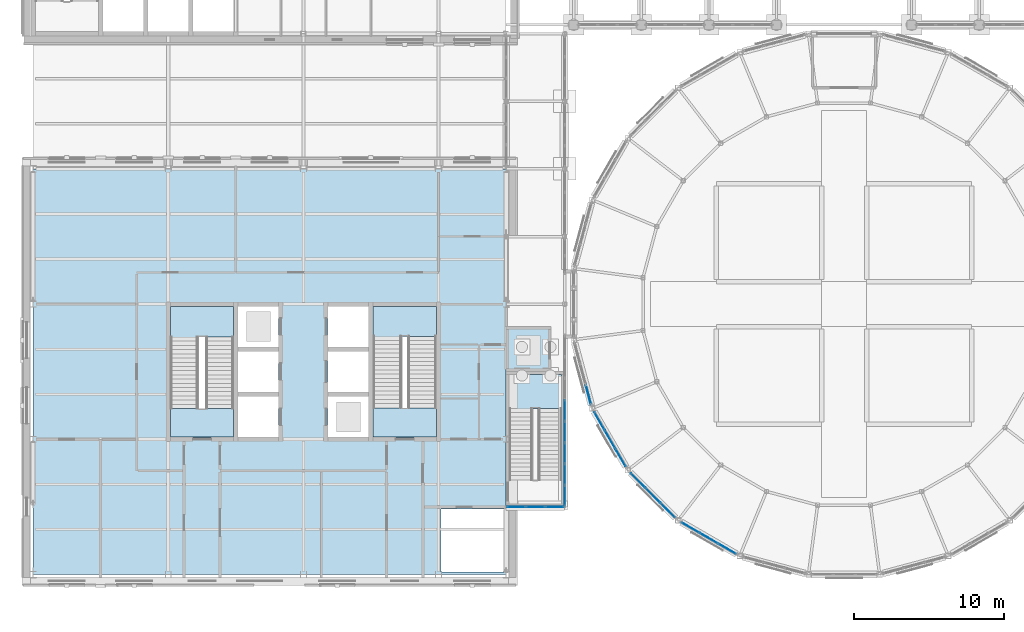
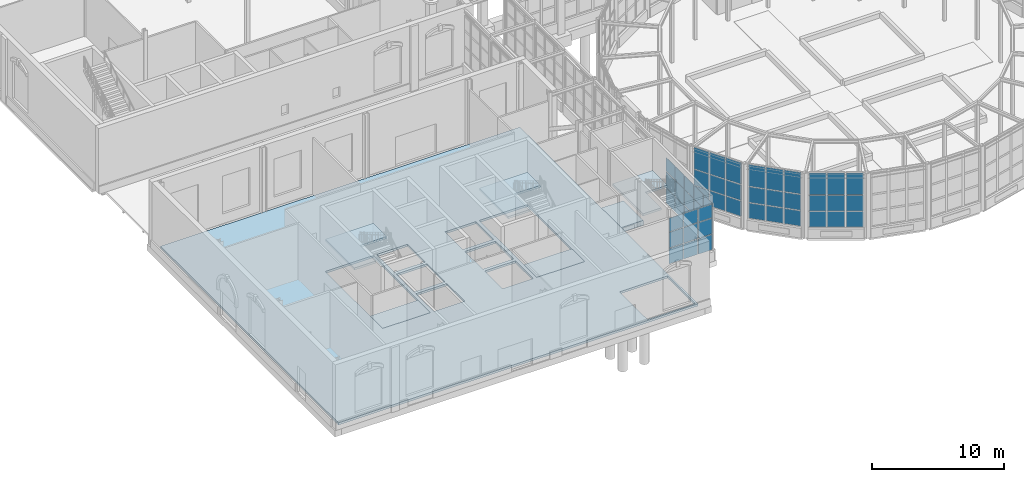
# One storey, part 56 of 106: 52 plates, 7 slabs, 9 elements without a shape of their own.
"""IFC4 building model written with IfcOpenShell, lengths in metres."""

import ifcopenshell
import ifcopenshell.guid

model = None  # the IFC model being written
_history = None  # IfcOwnerHistory: only IFC2X3 demands one
_inside = {}  # id of a spatial element -> (the spatial element, [elements in it])
_under = {}  # id of a project, library or spatial element -> (it, [spatial elements below it])
_declared = {}  # id of a project -> (the project, [libraries it declares])
_typed = {}  # id of a type object -> (the type object, [elements of that type])
_made_of = {}  # id of a material, layer set ... -> (it, [elements and type objects made of it])


def new_model(schema):
    """Start an empty IFC model of exactly this schema.

    Asked for "IFC4X3", IfcOpenShell would pick the latest addendum, in which some entities
    have other attributes; the version numbers below select the first issue.
    IFC2X3 requires an IfcOwnerHistory on every rooted entity: one is made here for all.
    """
    global model, _history
    if schema == "IFC4X3":
        model = ifcopenshell.file(schema_version=(4, 3, 0, 0))
    else:
        model = ifcopenshell.file(schema=schema)
    _inside.clear()
    _under.clear()
    _declared.clear()
    _typed.clear()
    _made_of.clear()
    _history = None
    if model.schema == "IFC2X3":
        org = make("IfcOrganization", Name="unknown")
        user = make(
            "IfcPersonAndOrganization",
            ThePerson=make("IfcPerson", FamilyName="unknown"),
            TheOrganization=org,
        )
        app = make(
            "IfcApplication",
            ApplicationDeveloper=org,
            Version="unknown",
            ApplicationFullName="unknown",
            ApplicationIdentifier="unknown",
        )
        _history = make(
            "IfcOwnerHistory",
            OwningUser=user,
            OwningApplication=app,
            ChangeAction="ADDED",
            CreationDate=0,
        )
    return model


def make(cls, **values):
    """One entity of the class cls with the attributes given. An attribute that is None is left unset."""
    return model.create_entity(
        cls, **{name: value for name, value in values.items() if value is not None}
    )


def rooted(cls, **values):
    """An entity with a GlobalId (a new one), such as an element, a storey or a relation."""
    return make(cls, GlobalId=ifcopenshell.guid.new(), OwnerHistory=_history, **values)


def si_unit(unit_type, name, prefix=None):
    """IfcSIUnit, for example si_unit("LENGTHUNIT", "METRE", prefix="MILLI")."""
    return make("IfcSIUnit", UnitType=unit_type, Prefix=prefix, Name=name)


def assignment(units):
    """IfcUnitAssignment: the units of a project."""
    return None if units is None else make("IfcUnitAssignment", Units=units)


def point(xyz):
    """IfcCartesianPoint."""
    return None if xyz is None else make("IfcCartesianPoint", Coordinates=xyz)


def direction(xyz):
    """IfcDirection."""
    return None if xyz is None else make("IfcDirection", DirectionRatios=xyz)


def frame(location, z_axis=None, x_axis=None):
    """IfcAxis2Placement3D, a coordinate frame: its origin and axes. An axis left out is left unset."""
    return make(
        "IfcAxis2Placement3D",
        Location=point(location),
        Axis=direction(z_axis),
        RefDirection=direction(x_axis),
    )


def frame_2d(location, x_axis=None):
    """IfcAxis2Placement2D, a coordinate frame in the plane: its origin and x axis."""
    return make(
        "IfcAxis2Placement2D", Location=point(location), RefDirection=direction(x_axis)
    )


def origin():
    """The frame at (0, 0, 0) with its axes left unset."""
    return frame((0.0, 0.0, 0.0))


def origin_2d():
    """The frame at (0, 0) in the plane with its x axis left unset."""
    return frame_2d((0.0, 0.0))


def place(relative_to, where):
    """IfcLocalPlacement: puts the frame where relative to a parent placement (None: the world)."""
    return make(
        "IfcLocalPlacement", PlacementRelTo=relative_to, RelativePlacement=where
    )


def context(
    kind, dimensions, precision=None, world=None, true_north=None, identifier=None
):
    """IfcGeometricRepresentationContext, for example the 3D "Model" context."""
    return make(
        "IfcGeometricRepresentationContext",
        ContextIdentifier=identifier,
        ContextType=kind,
        CoordinateSpaceDimension=dimensions,
        Precision=precision,
        WorldCoordinateSystem=world,
        TrueNorth=true_north,
    )


def subcontext(parent, identifier, kind, view, scale=None):
    """IfcGeometricRepresentationSubContext, for example "Body" below "Model"."""
    return make(
        "IfcGeometricRepresentationSubContext",
        ContextIdentifier=identifier,
        ContextType=kind,
        ParentContext=parent,
        TargetScale=scale,
        TargetView=view,
    )


def project(units=None, contexts=None):
    """IfcProject with its units and contexts."""
    return rooted(
        "IfcProject",
        Name="project",
        RepresentationContexts=contexts,
        UnitsInContext=assignment(units),
    )


def spatial(cls, under=None, at=None, **own):
    """A site, building, storey or space (cls), placed at a placement, below another one or the project."""
    s = rooted(cls, ObjectPlacement=at, **own)
    if under is not None:
        _under.setdefault(under.id(), (under, []))[1].append(s)
    return s


def polyline(points):
    """IfcPolyline through the points."""
    return make("IfcPolyline", Points=[point(p) for p in points])


def profile(cls, at=None, kind="AREA", **sizes):
    """A parametric profile (cls). Its sizes go by their IFC names, for example OverallWidth=200.0."""
    return make(cls, ProfileType=kind, Position=at, **sizes)


def rectangle(**sizes):
    """IfcRectangleProfileDef."""
    return profile("IfcRectangleProfileDef", **sizes)


def outline(outer, holes=None, kind="AREA"):
    """IfcArbitraryClosedProfileDef: a profile drawn as a closed curve; with holes, ...WithVoids."""
    if holes is None:
        return make("IfcArbitraryClosedProfileDef", ProfileType=kind, OuterCurve=outer)
    return make(
        "IfcArbitraryProfileDefWithVoids",
        ProfileType=kind,
        OuterCurve=outer,
        InnerCurves=holes,
    )


def extrude(swept, where, along, depth):
    """IfcExtrudedAreaSolid: the profile swept, set in the frame where, extruded along a direction by depth."""
    return make(
        "IfcExtrudedAreaSolid",
        SweptArea=swept,
        Position=where,
        ExtrudedDirection=direction(along),
        Depth=depth,
    )


def shape(context_of_items, identifier, shape_type, items):
    """IfcShapeRepresentation: the items that make up one representation, for example the "Body"."""
    return make(
        "IfcShapeRepresentation",
        ContextOfItems=context_of_items,
        RepresentationIdentifier=identifier,
        RepresentationType=shape_type,
        Items=items,
    )


def material(Name=None, Category=None):
    """IfcMaterial."""
    return make("IfcMaterial", Name=Name, Category=Category)


def layer(
    of_material, thickness, ventilated=None, Name=None, Category=None, Priority=None
):
    """IfcMaterialLayer: one layer of a wall or slab, of a material (None: an air gap)."""
    return make(
        "IfcMaterialLayer",
        Material=of_material,
        LayerThickness=thickness,
        IsVentilated=ventilated,
        Name=Name,
        Category=Category,
        Priority=Priority,
    )


def layer_set(layers, Name=None):
    """IfcMaterialLayerSet."""
    return make("IfcMaterialLayerSet", MaterialLayers=layers, LayerSetName=Name)


def made_of(thing, what):
    """Note that an element or type object is made of a material, layer set ...; save() writes the relation."""
    if what is not None:
        _made_of.setdefault(what.id(), (what, []))[1].append(thing)
    return thing


def type_object(cls, material=None, **own):
    """A type object (cls), such as IfcWallType, which elements share."""
    return made_of(rooted(cls, **own), material)


def element(
    cls,
    number,
    at=None,
    inside=None,
    cuts=None,
    type_object=None,
    material=None,
    context=None,
    identifier="Body",
    shape_type=None,
    held_by="IfcProductDefinitionShape",
    body=None,
    shapes=None,
    **own,
):
    """One element of the class cls, such as IfcWall. Its Tag is "e" and its number.

    at: its placement. inside: the storey or other place that contains it. cuts: it is an
    opening in that element (IfcRelVoidsElement). A single representation is given by context,
    identifier, shape_type and body (its items); several are given by shapes. held_by: the class
    of the entity that holds the representations. save() writes the other relations.
    """
    e = rooted(cls, Tag="e%d" % number, ObjectPlacement=at, **own)
    if body is not None:
        shapes = [shape(context, identifier, shape_type, body)]
    if shapes is not None:
        e.Representation = make(held_by, Representations=shapes)
    if inside is not None:
        _inside.setdefault(inside.id(), (inside, []))[1].append(e)
    if cuts is not None:
        rooted(
            "IfcRelVoidsElement", RelatingBuildingElement=cuts, RelatedOpeningElement=e
        )
    if type_object is not None:
        _typed.setdefault(type_object.id(), (type_object, []))[1].append(e)
    return made_of(e, material)


def aggregate(whole, parts):
    """IfcRelAggregates: a whole, such as a stair, and the parts it consists of."""
    return rooted("IfcRelAggregates", RelatingObject=whole, RelatedObjects=parts)


def save(model, path):
    """Write the relations noted so far, then the file.

    IfcRelAggregates (storeys below a building ...), IfcRelContainedInSpatialStructure (elements
    in a storey), IfcRelDefinesByType, IfcRelAssociatesMaterial and IfcRelDeclares: one each for
    every whole, place, type object, material and project.
    """
    for whole, parts in _under.values():
        aggregate(whole, parts)
    for where, things in _inside.values():
        rooted(
            "IfcRelContainedInSpatialStructure",
            RelatedElements=things,
            RelatingStructure=where,
        )
    for kind, things in _typed.values():
        rooted("IfcRelDefinesByType", RelatedObjects=things, RelatingType=kind)
    for what, things in _made_of.values():
        rooted("IfcRelAssociatesMaterial", RelatedObjects=things, RelatingMaterial=what)
    for by, libraries in _declared.values():
        rooted("IfcRelDeclares", RelatingContext=by, RelatedDefinitions=libraries)
    model.write(path)


model = new_model("IFC4")

# Units and contexts
model_context = context("Model", 3, precision=1e-05, world=origin(), true_north=direction((0.0, 1.0)))
body_context = subcontext(model_context, "Body", "Model", "MODEL_VIEW")
ifc_project = project(units=[si_unit("LENGTHUNIT", "METRE"), si_unit("AREAUNIT", "SQUARE_METRE"), si_unit("VOLUMEUNIT", "CUBIC_METRE"), si_unit("PLANEANGLEUNIT", "RADIAN"), si_unit("MASSUNIT", "GRAM", prefix="KILO")], contexts=[model_context])

# Site, building, storey
site_placement = place(None, origin())
site = spatial("IfcSite", under=ifc_project, at=site_placement, CompositionType="ELEMENT")
building_placement = place(site_placement, origin())
building = spatial("IfcBuilding", under=site, at=building_placement, Name="Hortulan Conservatory and Botanical Research Centre", CompositionType="ELEMENT")
storey_placement = place(building_placement, origin())
storey = spatial("IfcBuildingStorey", under=building, at=storey_placement, Name="L00", CompositionType="ELEMENT", Elevation=0.0)

# Slab
ifc_material_1 = material(Name="Concrete N40 (40 MPa, AS 3600)", Category="concrete")
ifc_layer_1 = layer(ifc_material_1, 0.199951171875)
ifc_layer_set_1 = layer_set([ifc_layer_1], Name="Composite Floor Slab 200")
slab_type_1 = type_object("IfcSlabType", Name="Composite Floor Slab 200", PredefinedType="FLOOR", material=ifc_layer_set_1)
slab_1_placement = place(storey_placement, frame((0.0, 0.0, -0.199951171875)))
element("IfcSlab", 1, at=slab_1_placement, inside=storey, type_object=slab_type_1, Name="Floor slab", PredefinedType="FLOOR", context=body_context, shape_type="SweptSolid", body=[
    extrude(outline(polyline([(0.0, 0.0), (31.5, 0.0), (31.5, 27.0), (0.0, 27.0), (0.0, 0.0)]), holes=[polyline([(27.14990234375, 4.35009765625), (27.14990234375, 0.14990234375), (31.35009765625, 0.14990234375), (31.35009765625, 4.35009765625), (27.14990234375, 4.35009765625)]), polyline([(13.64990234375, 11.85009765625), (13.64990234375, 9.14990234375), (16.35009765625, 9.14990234375), (16.35009765625, 11.85009765625), (13.64990234375, 11.85009765625)]), polyline([(19.64990234375, 11.85009765625), (19.64990234375, 9.14990234375), (22.35009765625, 9.14990234375), (22.35009765625, 11.85009765625), (19.64990234375, 11.85009765625)]), polyline([(9.14990234375, 17.85009765625), (9.14990234375, 9.14990234375), (13.35009765625, 9.14990234375), (13.35009765625, 17.85009765625), (9.14990234375, 17.85009765625)]), polyline([(13.64990234375, 14.85009765625), (13.64990234375, 12.14990234375), (16.35009765625, 12.14990234375), (16.35009765625, 14.85009765625), (13.64990234375, 14.85009765625)]), polyline([(19.64990234375, 14.85009765625), (19.64990234375, 12.14990234375), (22.35009765625, 12.14990234375), (22.35009765625, 14.85009765625), (19.64990234375, 14.85009765625)]), polyline([(22.64990234375, 17.85009765625), (22.64990234375, 9.14990234375), (26.85009765625, 9.14990234375), (26.85009765625, 17.85009765625), (22.64990234375, 17.85009765625)]), polyline([(16.35009765625, 17.85009765625), (13.64990234375, 17.85009765625), (13.64990234375, 15.14990234375), (16.35009765625, 15.14990234375), (16.35009765625, 17.85009765625)]), polyline([(22.35009765625, 17.85009765625), (19.64990234375, 17.85009765625), (19.64990234375, 15.14990234375), (22.35009765625, 15.14990234375), (22.35009765625, 17.85009765625)])]), origin(), (0.0, 0.0, 1.0), 0.199951171875),
])

# Curtain wall, plate
ifc_material_2 = material(Name="Bronze-finished aluminium", Category="aluminium")
ifc_layer_2 = layer(ifc_material_2, 0.10009765625)
ifc_layer_set_2 = layer_set([ifc_layer_2], Name="Bronze-framed Curtain Wall 1500 module")
curtain_wall_type = type_object("IfcCurtainWallType", Name="Bronze-framed Curtain Wall 1500 module", PredefinedType="NOTDEFINED", material=ifc_layer_set_2)
curtain_wall_1_placement = place(storey_placement, origin())
curtain_wall_1 = element("IfcCurtainWall", 2, at=curtain_wall_1_placement, inside=storey, type_object=curtain_wall_type, Name="Curtain wall", PredefinedType="NOTDEFINED")
ifc_material_3 = material(Name="Low-e laminated glass", Category="glass")
ifc_layer_3 = layer(ifc_material_3, 0.028076171875)
ifc_layer_set_3 = layer_set([ifc_layer_3], Name="Laminated Glass Panel 28")
plate_type = type_object("IfcPlateType", Name="Laminated Glass Panel 28", PredefinedType="CURTAIN_PANEL", material=ifc_layer_set_3)
plate_1_placement = place(storey_placement, frame((36.9814453125, 11.967529296875, 0.9599609375), z_axis=(0.0, 0.0, 1.0), x_axis=(-0.258831936284, 0.965922372015, 0.0)))
plate_1 = element("IfcPlate", 3, at=plate_1_placement, type_object=plate_type, Name="CW1 panel 1.1", PredefinedType="CURTAIN_PANEL", context=body_context, shape_type="SweptSolid", body=[
    extrude(rectangle(XDim=1.346923828125, YDim=0.028076171875, at=origin_2d()), origin(), (0.0, 0.0, 1.0), 1.409912109375),
])
aggregate(curtain_wall_1, [plate_1])

# Curtain wall, plates
curtain_wall_2_placement = place(storey_placement, origin())
curtain_wall_2 = element("IfcCurtainWall", 4, at=curtain_wall_2_placement, inside=storey, type_object=curtain_wall_type, Name="Curtain wall", PredefinedType="NOTDEFINED")
plate_2_placement = place(storey_placement, frame((39.114013671875, 7.782958984375, 0.9599609375), z_axis=(0.0, 0.0, 1.0), x_axis=(-0.499981160235, 0.866036280655, 0.0)))
plate_2 = element("IfcPlate", 5, at=plate_2_placement, type_object=plate_type, Name="CW1 panel 1.1", PredefinedType="CURTAIN_PANEL", context=body_context, shape_type="SweptSolid", body=[
    extrude(rectangle(XDim=1.330078125, YDim=0.028076171875, at=origin_2d()), origin(), (0.0, 0.0, 1.0), 1.409912109375),
])
plate_3_placement = place(storey_placement, frame((39.114013671875, 7.782958984375, 2.429931640625), z_axis=(0.0, 0.0, 1.0), x_axis=(-0.499981160235, 0.866036280655, 0.0)))
plate_3 = element("IfcPlate", 6, at=plate_3_placement, type_object=plate_type, Name="CW1 panel 1.2", PredefinedType="CURTAIN_PANEL", context=body_context, shape_type="SweptSolid", body=[
    extrude(rectangle(XDim=1.330078125, YDim=0.028076171875, at=origin_2d()), origin(), (0.0, 0.0, 1.0), 1.43994140625),
])
plate_4_placement = place(storey_placement, frame((39.114013671875, 7.782958984375, 3.93017578125), z_axis=(0.0, 0.0, 1.0), x_axis=(-0.499981160235, 0.866036280655, 0.0)))
plate_4 = element("IfcPlate", 7, at=plate_4_placement, type_object=plate_type, Name="CW1 panel 1.3", PredefinedType="CURTAIN_PANEL", context=body_context, shape_type="SweptSolid", body=[
    extrude(rectangle(XDim=1.330078125, YDim=0.028076171875, at=origin_2d()), origin(), (0.0, 0.0, 1.0), 2.010009765625),
])
plate_5_placement = place(storey_placement, frame((38.41162109375, 9.0, 0.9599609375), z_axis=(0.0, 0.0, 1.0), x_axis=(-0.499981160235, 0.866036280655, 0.0)))
plate_5 = element("IfcPlate", 8, at=plate_5_placement, type_object=plate_type, Name="CW1 panel 2.1", PredefinedType="CURTAIN_PANEL", context=body_context, shape_type="SweptSolid", body=[
    extrude(rectangle(XDim=1.360107421875, YDim=0.028076171875, at=origin_2d()), origin(), (0.0, 0.0, 1.0), 1.409912109375),
])
plate_6_placement = place(storey_placement, frame((38.41162109375, 9.0, 2.429931640625), z_axis=(0.0, 0.0, 1.0), x_axis=(-0.499981160235, 0.866036280655, 0.0)))
plate_6 = element("IfcPlate", 9, at=plate_6_placement, type_object=plate_type, Name="CW1 panel 2.2", PredefinedType="CURTAIN_PANEL", context=body_context, shape_type="SweptSolid", body=[
    extrude(rectangle(XDim=1.360107421875, YDim=0.028076171875, at=origin_2d()), origin(), (0.0, 0.0, 1.0), 1.43994140625),
])
plate_7_placement = place(storey_placement, frame((38.41162109375, 9.0, 3.93017578125), z_axis=(0.0, 0.0, 1.0), x_axis=(-0.499981160235, 0.866036280655, 0.0)))
plate_7 = element("IfcPlate", 10, at=plate_7_placement, type_object=plate_type, Name="CW1 panel 2.3", PredefinedType="CURTAIN_PANEL", context=body_context, shape_type="SweptSolid", body=[
    extrude(rectangle(XDim=1.360107421875, YDim=0.028076171875, at=origin_2d()), origin(), (0.0, 0.0, 1.0), 2.010009765625),
])
plate_8_placement = place(storey_placement, frame((37.708984375, 10.217041015625, 0.9599609375), z_axis=(0.0, 0.0, 1.0), x_axis=(-0.499981160235, 0.866036280655, 0.0)))
plate_8 = element("IfcPlate", 11, at=plate_8_placement, type_object=plate_type, Name="CW1 panel 3.1", PredefinedType="CURTAIN_PANEL", context=body_context, shape_type="SweptSolid", body=[
    extrude(rectangle(XDim=1.330078125, YDim=0.028076171875, at=origin_2d()), origin(), (0.0, 0.0, 1.0), 1.409912109375),
])
plate_9_placement = place(storey_placement, frame((37.708984375, 10.217041015625, 2.429931640625), z_axis=(0.0, 0.0, 1.0), x_axis=(-0.499981160235, 0.866036280655, 0.0)))
plate_9 = element("IfcPlate", 12, at=plate_9_placement, type_object=plate_type, Name="CW1 panel 3.2", PredefinedType="CURTAIN_PANEL", context=body_context, shape_type="SweptSolid", body=[
    extrude(rectangle(XDim=1.330078125, YDim=0.028076171875, at=origin_2d()), origin(), (0.0, 0.0, 1.0), 1.43994140625),
])
plate_10_placement = place(storey_placement, frame((37.708984375, 10.217041015625, 3.93017578125), z_axis=(0.0, 0.0, 1.0), x_axis=(-0.499981160235, 0.866036280655, 0.0)))
plate_10 = element("IfcPlate", 13, at=plate_10_placement, type_object=plate_type, Name="CW1 panel 3.3", PredefinedType="CURTAIN_PANEL", context=body_context, shape_type="SweptSolid", body=[
    extrude(rectangle(XDim=1.330078125, YDim=0.028076171875, at=origin_2d()), origin(), (0.0, 0.0, 1.0), 2.010009765625),
])
aggregate(curtain_wall_2, [plate_2, plate_3, plate_4, plate_5, plate_6, plate_7, plate_8, plate_9, plate_10])

curtain_wall_3_placement = place(storey_placement, origin())
curtain_wall_3 = element("IfcCurtainWall", 14, at=curtain_wall_3_placement, inside=storey, type_object=curtain_wall_type, Name="Curtain wall", PredefinedType="NOTDEFINED")
plate_11_placement = place(storey_placement, frame((42.261962890625, 4.281982421875, 0.9599609375), z_axis=(0.0, 0.0, 1.0), x_axis=(-0.70708322627, 0.707130335318, 0.0)))
plate_11 = element("IfcPlate", 15, at=plate_11_placement, type_object=plate_type, Name="CW1 panel 1.1", PredefinedType="CURTAIN_PANEL", context=body_context, shape_type="SweptSolid", body=[
    extrude(rectangle(XDim=1.3251953125, YDim=0.028076171875, at=origin_2d()), origin(), (0.0, 0.0, 1.0), 1.409912109375),
])
plate_12_placement = place(storey_placement, frame((42.261962890625, 4.281982421875, 2.429931640625), z_axis=(0.0, 0.0, 1.0), x_axis=(-0.70708322627, 0.707130335318, 0.0)))
plate_12 = element("IfcPlate", 16, at=plate_12_placement, type_object=plate_type, Name="CW1 panel 1.2", PredefinedType="CURTAIN_PANEL", context=body_context, shape_type="SweptSolid", body=[
    extrude(rectangle(XDim=1.3251953125, YDim=0.028076171875, at=origin_2d()), origin(), (0.0, 0.0, 1.0), 1.43994140625),
])
plate_13_placement = place(storey_placement, frame((42.261962890625, 4.281982421875, 3.93017578125), z_axis=(0.0, 0.0, 1.0), x_axis=(-0.70708322627, 0.707130335318, 0.0)))
plate_13 = element("IfcPlate", 17, at=plate_13_placement, type_object=plate_type, Name="CW1 panel 1.3", PredefinedType="CURTAIN_PANEL", context=body_context, shape_type="SweptSolid", body=[
    extrude(rectangle(XDim=1.3251953125, YDim=0.028076171875, at=origin_2d()), origin(), (0.0, 0.0, 1.0), 2.010009765625),
])
plate_14_placement = place(storey_placement, frame((41.27197265625, 5.27197265625, 0.9599609375), z_axis=(0.0, 0.0, 1.0), x_axis=(-0.70708322627, 0.707130335318, 0.0)))
plate_14 = element("IfcPlate", 18, at=plate_14_placement, type_object=plate_type, Name="CW1 panel 2.1", PredefinedType="CURTAIN_PANEL", context=body_context, shape_type="SweptSolid", body=[
    extrude(rectangle(XDim=1.355224609375, YDim=0.028076171875, at=origin_2d()), origin(), (0.0, 0.0, 1.0), 1.409912109375),
])
plate_15_placement = place(storey_placement, frame((41.27197265625, 5.27197265625, 2.429931640625), z_axis=(0.0, 0.0, 1.0), x_axis=(-0.70708322627, 0.707130335318, 0.0)))
plate_15 = element("IfcPlate", 19, at=plate_15_placement, type_object=plate_type, Name="CW1 panel 2.2", PredefinedType="CURTAIN_PANEL", context=body_context, shape_type="SweptSolid", body=[
    extrude(rectangle(XDim=1.355224609375, YDim=0.028076171875, at=origin_2d()), origin(), (0.0, 0.0, 1.0), 1.43994140625),
])
plate_16_placement = place(storey_placement, frame((41.27197265625, 5.27197265625, 3.93017578125), z_axis=(0.0, 0.0, 1.0), x_axis=(-0.70708322627, 0.707130335318, 0.0)))
plate_16 = element("IfcPlate", 20, at=plate_16_placement, type_object=plate_type, Name="CW1 panel 2.3", PredefinedType="CURTAIN_PANEL", context=body_context, shape_type="SweptSolid", body=[
    extrude(rectangle(XDim=1.355224609375, YDim=0.028076171875, at=origin_2d()), origin(), (0.0, 0.0, 1.0), 2.010009765625),
])
plate_17_placement = place(storey_placement, frame((40.281982421875, 6.26220703125, 0.9599609375), z_axis=(0.0, 0.0, 1.0), x_axis=(-0.70708322627, 0.707130335318, 0.0)))
plate_17 = element("IfcPlate", 21, at=plate_17_placement, type_object=plate_type, Name="CW1 panel 3.1", PredefinedType="CURTAIN_PANEL", context=body_context, shape_type="SweptSolid", body=[
    extrude(rectangle(XDim=1.3251953125, YDim=0.028076171875, at=origin_2d()), origin(), (0.0, 0.0, 1.0), 1.409912109375),
])
plate_18_placement = place(storey_placement, frame((40.281982421875, 6.26220703125, 2.429931640625), z_axis=(0.0, 0.0, 1.0), x_axis=(-0.70708322627, 0.707130335318, 0.0)))
plate_18 = element("IfcPlate", 22, at=plate_18_placement, type_object=plate_type, Name="CW1 panel 3.2", PredefinedType="CURTAIN_PANEL", context=body_context, shape_type="SweptSolid", body=[
    extrude(rectangle(XDim=1.3251953125, YDim=0.028076171875, at=origin_2d()), origin(), (0.0, 0.0, 1.0), 1.43994140625),
])
plate_19_placement = place(storey_placement, frame((40.281982421875, 6.26220703125, 3.93017578125), z_axis=(0.0, 0.0, 1.0), x_axis=(-0.70708322627, 0.707130335318, 0.0)))
plate_19 = element("IfcPlate", 23, at=plate_19_placement, type_object=plate_type, Name="CW1 panel 3.3", PredefinedType="CURTAIN_PANEL", context=body_context, shape_type="SweptSolid", body=[
    extrude(rectangle(XDim=1.3251953125, YDim=0.028076171875, at=origin_2d()), origin(), (0.0, 0.0, 1.0), 2.010009765625),
])
aggregate(curtain_wall_3, [plate_11, plate_12, plate_13, plate_14, plate_15, plate_16, plate_17, plate_18, plate_19])

curtain_wall_4_placement = place(storey_placement, origin())
curtain_wall_4 = element("IfcCurtainWall", 24, at=curtain_wall_4_placement, inside=storey, type_object=curtain_wall_type, Name="Curtain wall", PredefinedType="NOTDEFINED")
plate_20_placement = place(storey_placement, frame((46.217041015625, 1.708984375, 0.9599609375), z_axis=(0.0, 0.0, 1.0), x_axis=(-0.866036280655, 0.499981160235, 0.0)))
plate_20 = element("IfcPlate", 25, at=plate_20_placement, type_object=plate_type, Name="CW1 panel 1.1", PredefinedType="CURTAIN_PANEL", context=body_context, shape_type="SweptSolid", body=[
    extrude(rectangle(XDim=1.330078125, YDim=0.028076171875, at=origin_2d()), origin(), (0.0, 0.0, 1.0), 1.409912109375),
])
plate_21_placement = place(storey_placement, frame((46.217041015625, 1.708984375, 2.429931640625), z_axis=(0.0, 0.0, 1.0), x_axis=(-0.866036280655, 0.499981160235, 0.0)))
plate_21 = element("IfcPlate", 26, at=plate_21_placement, type_object=plate_type, Name="CW1 panel 1.2", PredefinedType="CURTAIN_PANEL", context=body_context, shape_type="SweptSolid", body=[
    extrude(rectangle(XDim=1.330078125, YDim=0.028076171875, at=origin_2d()), origin(), (0.0, 0.0, 1.0), 1.43994140625),
])
plate_22_placement = place(storey_placement, frame((46.217041015625, 1.708984375, 3.93017578125), z_axis=(0.0, 0.0, 1.0), x_axis=(-0.866036280655, 0.499981160235, 0.0)))
plate_22 = element("IfcPlate", 27, at=plate_22_placement, type_object=plate_type, Name="CW1 panel 1.3", PredefinedType="CURTAIN_PANEL", context=body_context, shape_type="SweptSolid", body=[
    extrude(rectangle(XDim=1.330078125, YDim=0.028076171875, at=origin_2d()), origin(), (0.0, 0.0, 1.0), 2.010009765625),
])
plate_23_placement = place(storey_placement, frame((45.0, 2.41162109375, 0.9599609375), z_axis=(0.0, 0.0, 1.0), x_axis=(-0.866036280655, 0.499981160235, 0.0)))
plate_23 = element("IfcPlate", 28, at=plate_23_placement, type_object=plate_type, Name="CW1 panel 2.1", PredefinedType="CURTAIN_PANEL", context=body_context, shape_type="SweptSolid", body=[
    extrude(rectangle(XDim=1.360107421875, YDim=0.028076171875, at=origin_2d()), origin(), (0.0, 0.0, 1.0), 1.409912109375),
])
plate_24_placement = place(storey_placement, frame((45.0, 2.41162109375, 2.429931640625), z_axis=(0.0, 0.0, 1.0), x_axis=(-0.866036280655, 0.499981160235, 0.0)))
plate_24 = element("IfcPlate", 29, at=plate_24_placement, type_object=plate_type, Name="CW1 panel 2.2", PredefinedType="CURTAIN_PANEL", context=body_context, shape_type="SweptSolid", body=[
    extrude(rectangle(XDim=1.360107421875, YDim=0.028076171875, at=origin_2d()), origin(), (0.0, 0.0, 1.0), 1.43994140625),
])
plate_25_placement = place(storey_placement, frame((45.0, 2.41162109375, 3.93017578125), z_axis=(0.0, 0.0, 1.0), x_axis=(-0.866036280655, 0.499981160235, 0.0)))
plate_25 = element("IfcPlate", 30, at=plate_25_placement, type_object=plate_type, Name="CW1 panel 2.3", PredefinedType="CURTAIN_PANEL", context=body_context, shape_type="SweptSolid", body=[
    extrude(rectangle(XDim=1.360107421875, YDim=0.028076171875, at=origin_2d()), origin(), (0.0, 0.0, 1.0), 2.010009765625),
])
plate_26_placement = place(storey_placement, frame((43.782958984375, 3.114013671875, 0.9599609375), z_axis=(0.0, 0.0, 1.0), x_axis=(-0.866036280655, 0.499981160235, 0.0)))
plate_26 = element("IfcPlate", 31, at=plate_26_placement, type_object=plate_type, Name="CW1 panel 3.1", PredefinedType="CURTAIN_PANEL", context=body_context, shape_type="SweptSolid", body=[
    extrude(rectangle(XDim=1.330078125, YDim=0.028076171875, at=origin_2d()), origin(), (0.0, 0.0, 1.0), 1.409912109375),
])
plate_27_placement = place(storey_placement, frame((43.782958984375, 3.114013671875, 2.429931640625), z_axis=(0.0, 0.0, 1.0), x_axis=(-0.866036280655, 0.499981160235, 0.0)))
plate_27 = element("IfcPlate", 32, at=plate_27_placement, type_object=plate_type, Name="CW1 panel 3.2", PredefinedType="CURTAIN_PANEL", context=body_context, shape_type="SweptSolid", body=[
    extrude(rectangle(XDim=1.330078125, YDim=0.028076171875, at=origin_2d()), origin(), (0.0, 0.0, 1.0), 1.43994140625),
])
plate_28_placement = place(storey_placement, frame((43.782958984375, 3.114013671875, 3.93017578125), z_axis=(0.0, 0.0, 1.0), x_axis=(-0.866036280655, 0.499981160235, 0.0)))
plate_28 = element("IfcPlate", 33, at=plate_28_placement, type_object=plate_type, Name="CW1 panel 3.3", PredefinedType="CURTAIN_PANEL", context=body_context, shape_type="SweptSolid", body=[
    extrude(rectangle(XDim=1.330078125, YDim=0.028076171875, at=origin_2d()), origin(), (0.0, 0.0, 1.0), 2.010009765625),
])
aggregate(curtain_wall_4, [plate_20, plate_21, plate_22, plate_23, plate_24, plate_25, plate_26, plate_27, plate_28])

curtain_wall_5_placement = place(storey_placement, origin())
curtain_wall_5 = element("IfcCurtainWall", 34, at=curtain_wall_5_placement, inside=storey, type_object=curtain_wall_type, Name="Curtain wall", PredefinedType="NOTDEFINED")
plate_29_placement = place(storey_placement, frame((34.735107421875, 4.5, 0.9599609375), z_axis=(0.0, 0.0, 1.0), x_axis=(-1.0, 0.0, 0.0)))
plate_29 = element("IfcPlate", 35, at=plate_29_placement, type_object=plate_type, Name="CW1 panel 1.1", PredefinedType="CURTAIN_PANEL", context=body_context, shape_type="SweptSolid", body=[
    extrude(rectangle(XDim=1.2099609375, YDim=0.028076171875, at=origin_2d()), origin(), (0.0, 0.0, 1.0), 1.409912109375),
])
plate_30_placement = place(storey_placement, frame((34.735107421875, 4.5, 2.429931640625), z_axis=(0.0, 0.0, 1.0), x_axis=(-1.0, 0.0, 0.0)))
plate_30 = element("IfcPlate", 36, at=plate_30_placement, type_object=plate_type, Name="CW1 panel 1.2", PredefinedType="CURTAIN_PANEL", context=body_context, shape_type="SweptSolid", body=[
    extrude(rectangle(XDim=1.2099609375, YDim=0.028076171875, at=origin_2d()), origin(), (0.0, 0.0, 1.0), 1.43994140625),
])
plate_31_placement = place(storey_placement, frame((34.735107421875, 4.5, 3.929931640625), z_axis=(0.0, 0.0, 1.0), x_axis=(-1.0, 0.0, 0.0)))
plate_31 = element("IfcPlate", 37, at=plate_31_placement, type_object=plate_type, Name="CW1 panel 1.3", PredefinedType="CURTAIN_PANEL", context=body_context, shape_type="SweptSolid", body=[
    extrude(rectangle(XDim=1.2099609375, YDim=0.028076171875, at=origin_2d()), origin(), (0.0, 0.0, 1.0), 1.25),
])
plate_32_placement = place(storey_placement, frame((33.449951171875, 4.5, 0.9599609375), z_axis=(0.0, 0.0, 1.0), x_axis=(-1.0, 0.0, 0.0)))
plate_32 = element("IfcPlate", 38, at=plate_32_placement, type_object=plate_type, Name="CW1 panel 2.1", PredefinedType="CURTAIN_PANEL", context=body_context, shape_type="SweptSolid", body=[
    extrude(rectangle(XDim=1.239990234375, YDim=0.028076171875, at=origin_2d()), origin(), (0.0, 0.0, 1.0), 1.409912109375),
])
plate_33_placement = place(storey_placement, frame((33.449951171875, 4.5, 2.429931640625), z_axis=(0.0, 0.0, 1.0), x_axis=(-1.0, 0.0, 0.0)))
plate_33 = element("IfcPlate", 39, at=plate_33_placement, type_object=plate_type, Name="CW1 panel 2.2", PredefinedType="CURTAIN_PANEL", context=body_context, shape_type="SweptSolid", body=[
    extrude(rectangle(XDim=1.239990234375, YDim=0.028076171875, at=origin_2d()), origin(), (0.0, 0.0, 1.0), 1.43994140625),
])
plate_34_placement = place(storey_placement, frame((33.449951171875, 4.5, 3.929931640625), z_axis=(0.0, 0.0, 1.0), x_axis=(-1.0, 0.0, 0.0)))
plate_34 = element("IfcPlate", 40, at=plate_34_placement, type_object=plate_type, Name="CW1 panel 2.3", PredefinedType="CURTAIN_PANEL", context=body_context, shape_type="SweptSolid", body=[
    extrude(rectangle(XDim=1.239990234375, YDim=0.028076171875, at=origin_2d()), origin(), (0.0, 0.0, 1.0), 1.25),
])
plate_35_placement = place(storey_placement, frame((32.1650390625, 4.5, 0.9599609375), z_axis=(0.0, 0.0, 1.0), x_axis=(-1.0, 0.0, 0.0)))
plate_35 = element("IfcPlate", 41, at=plate_35_placement, type_object=plate_type, Name="CW1 panel 3.1", PredefinedType="CURTAIN_PANEL", context=body_context, shape_type="SweptSolid", body=[
    extrude(rectangle(XDim=1.2099609375, YDim=0.028076171875, at=origin_2d()), origin(), (0.0, 0.0, 1.0), 1.409912109375),
])
plate_36_placement = place(storey_placement, frame((32.1650390625, 4.5, 2.429931640625), z_axis=(0.0, 0.0, 1.0), x_axis=(-1.0, 0.0, 0.0)))
plate_36 = element("IfcPlate", 42, at=plate_36_placement, type_object=plate_type, Name="CW1 panel 3.2", PredefinedType="CURTAIN_PANEL", context=body_context, shape_type="SweptSolid", body=[
    extrude(rectangle(XDim=1.2099609375, YDim=0.028076171875, at=origin_2d()), origin(), (0.0, 0.0, 1.0), 1.43994140625),
])
plate_37_placement = place(storey_placement, frame((32.1650390625, 4.5, 3.929931640625), z_axis=(0.0, 0.0, 1.0), x_axis=(-1.0, 0.0, 0.0)))
plate_37 = element("IfcPlate", 43, at=plate_37_placement, type_object=plate_type, Name="CW1 panel 3.3", PredefinedType="CURTAIN_PANEL", context=body_context, shape_type="SweptSolid", body=[
    extrude(rectangle(XDim=1.2099609375, YDim=0.028076171875, at=origin_2d()), origin(), (0.0, 0.0, 1.0), 1.25),
])
aggregate(curtain_wall_5, [plate_29, plate_30, plate_31, plate_32, plate_33, plate_34, plate_35, plate_36, plate_37])

curtain_wall_6_placement = place(storey_placement, origin())
curtain_wall_6 = element("IfcCurtainWall", 44, at=curtain_wall_6_placement, inside=storey, type_object=curtain_wall_type, Name="Curtain wall", PredefinedType="NOTDEFINED")
plate_38_placement = place(storey_placement, frame((35.39990234375, 10.929443359375, 0.9599609375), z_axis=(0.0, 0.0, 1.0), x_axis=(0.0, -1.0, 0.0)))
plate_38 = element("IfcPlate", 45, at=plate_38_placement, type_object=plate_type, Name="CW1 panel 4.1", PredefinedType="CURTAIN_PANEL", context=body_context, shape_type="SweptSolid", body=[
    extrude(rectangle(XDim=1.368896484375, YDim=0.028076171875, at=origin_2d()), origin(), (0.0, 0.0, 1.0), 1.409912109375),
])
plate_39_placement = place(storey_placement, frame((35.39990234375, 10.929443359375, 2.429931640625), z_axis=(0.0, 0.0, 1.0), x_axis=(0.0, -1.0, 0.0)))
plate_39 = element("IfcPlate", 46, at=plate_39_placement, type_object=plate_type, Name="CW1 panel 4.2", PredefinedType="CURTAIN_PANEL", context=body_context, shape_type="SweptSolid", body=[
    extrude(rectangle(XDim=1.368896484375, YDim=0.028076171875, at=origin_2d()), origin(), (0.0, 0.0, 1.0), 1.43994140625),
])
plate_40_placement = place(storey_placement, frame((35.39990234375, 10.929443359375, 3.929931640625), z_axis=(0.0, 0.0, 1.0), x_axis=(0.0, -1.0, 0.0)))
plate_40 = element("IfcPlate", 47, at=plate_40_placement, type_object=plate_type, Name="CW1 panel 4.3", PredefinedType="CURTAIN_PANEL", context=body_context, shape_type="SweptSolid", body=[
    extrude(rectangle(XDim=1.368896484375, YDim=0.028076171875, at=origin_2d()), origin(), (0.0, 0.0, 1.0), 1.25),
])
plate_41_placement = place(storey_placement, frame((35.39990234375, 9.500732421875, 0.9599609375), z_axis=(0.0, 0.0, 1.0), x_axis=(0.0, -1.0, 0.0)))
plate_41 = element("IfcPlate", 48, at=plate_41_placement, type_object=plate_type, Name="CW1 panel 5.1", PredefinedType="CURTAIN_PANEL", context=body_context, shape_type="SweptSolid", body=[
    extrude(rectangle(XDim=1.368896484375, YDim=0.028076171875, at=origin_2d()), origin(), (0.0, 0.0, 1.0), 1.409912109375),
])
plate_42_placement = place(storey_placement, frame((35.39990234375, 9.500732421875, 2.429931640625), z_axis=(0.0, 0.0, 1.0), x_axis=(0.0, -1.0, 0.0)))
plate_42 = element("IfcPlate", 49, at=plate_42_placement, type_object=plate_type, Name="CW1 panel 5.2", PredefinedType="CURTAIN_PANEL", context=body_context, shape_type="SweptSolid", body=[
    extrude(rectangle(XDim=1.368896484375, YDim=0.028076171875, at=origin_2d()), origin(), (0.0, 0.0, 1.0), 1.43994140625),
])
plate_43_placement = place(storey_placement, frame((35.39990234375, 9.500732421875, 3.929931640625), z_axis=(0.0, 0.0, 1.0), x_axis=(0.0, -1.0, 0.0)))
plate_43 = element("IfcPlate", 50, at=plate_43_placement, type_object=plate_type, Name="CW1 panel 5.3", PredefinedType="CURTAIN_PANEL", context=body_context, shape_type="SweptSolid", body=[
    extrude(rectangle(XDim=1.368896484375, YDim=0.028076171875, at=origin_2d()), origin(), (0.0, 0.0, 1.0), 1.25),
])
plate_44_placement = place(storey_placement, frame((35.39990234375, 8.072021484375, 0.9599609375), z_axis=(0.0, 0.0, 1.0), x_axis=(0.0, -1.0, 0.0)))
plate_44 = element("IfcPlate", 51, at=plate_44_placement, type_object=plate_type, Name="CW1 panel 6.1", PredefinedType="CURTAIN_PANEL", context=body_context, shape_type="SweptSolid", body=[
    extrude(rectangle(XDim=1.368896484375, YDim=0.028076171875, at=origin_2d()), origin(), (0.0, 0.0, 1.0), 1.409912109375),
])
plate_45_placement = place(storey_placement, frame((35.39990234375, 8.072021484375, 2.429931640625), z_axis=(0.0, 0.0, 1.0), x_axis=(0.0, -1.0, 0.0)))
plate_45 = element("IfcPlate", 52, at=plate_45_placement, type_object=plate_type, Name="CW1 panel 6.2", PredefinedType="CURTAIN_PANEL", context=body_context, shape_type="SweptSolid", body=[
    extrude(rectangle(XDim=1.368896484375, YDim=0.028076171875, at=origin_2d()), origin(), (0.0, 0.0, 1.0), 1.43994140625),
])
plate_46_placement = place(storey_placement, frame((35.39990234375, 8.072021484375, 3.929931640625), z_axis=(0.0, 0.0, 1.0), x_axis=(0.0, -1.0, 0.0)))
plate_46 = element("IfcPlate", 53, at=plate_46_placement, type_object=plate_type, Name="CW1 panel 6.3", PredefinedType="CURTAIN_PANEL", context=body_context, shape_type="SweptSolid", body=[
    extrude(rectangle(XDim=1.368896484375, YDim=0.028076171875, at=origin_2d()), origin(), (0.0, 0.0, 1.0), 1.25),
])
plate_47_placement = place(storey_placement, frame((35.39990234375, 6.64306640625, 0.9599609375), z_axis=(0.0, 0.0, 1.0), x_axis=(0.0, -1.0, 0.0)))
plate_47 = element("IfcPlate", 54, at=plate_47_placement, type_object=plate_type, Name="CW1 panel 7.1", PredefinedType="CURTAIN_PANEL", context=body_context, shape_type="SweptSolid", body=[
    extrude(rectangle(XDim=1.368896484375, YDim=0.028076171875, at=origin_2d()), origin(), (0.0, 0.0, 1.0), 1.409912109375),
])
plate_48_placement = place(storey_placement, frame((35.39990234375, 6.64306640625, 2.429931640625), z_axis=(0.0, 0.0, 1.0), x_axis=(0.0, -1.0, 0.0)))
plate_48 = element("IfcPlate", 55, at=plate_48_placement, type_object=plate_type, Name="CW1 panel 7.2", PredefinedType="CURTAIN_PANEL", context=body_context, shape_type="SweptSolid", body=[
    extrude(rectangle(XDim=1.368896484375, YDim=0.028076171875, at=origin_2d()), origin(), (0.0, 0.0, 1.0), 1.43994140625),
])
plate_49_placement = place(storey_placement, frame((35.39990234375, 6.64306640625, 3.929931640625), z_axis=(0.0, 0.0, 1.0), x_axis=(0.0, -1.0, 0.0)))
plate_49 = element("IfcPlate", 56, at=plate_49_placement, type_object=plate_type, Name="CW1 panel 7.3", PredefinedType="CURTAIN_PANEL", context=body_context, shape_type="SweptSolid", body=[
    extrude(rectangle(XDim=1.368896484375, YDim=0.028076171875, at=origin_2d()), origin(), (0.0, 0.0, 1.0), 1.25),
])
plate_50_placement = place(storey_placement, frame((35.39990234375, 5.2294921875, 0.9599609375), z_axis=(0.0, 0.0, 1.0), x_axis=(0.0, -1.0, 0.0)))
plate_50 = element("IfcPlate", 57, at=plate_50_placement, type_object=plate_type, Name="CW1 panel 8.1", PredefinedType="CURTAIN_PANEL", context=body_context, shape_type="SweptSolid", body=[
    extrude(rectangle(XDim=1.3388671875, YDim=0.028076171875, at=origin_2d()), origin(), (0.0, 0.0, 1.0), 1.409912109375),
])
plate_51_placement = place(storey_placement, frame((35.39990234375, 5.2294921875, 2.429931640625), z_axis=(0.0, 0.0, 1.0), x_axis=(0.0, -1.0, 0.0)))
plate_51 = element("IfcPlate", 58, at=plate_51_placement, type_object=plate_type, Name="CW1 panel 8.2", PredefinedType="CURTAIN_PANEL", context=body_context, shape_type="SweptSolid", body=[
    extrude(rectangle(XDim=1.3388671875, YDim=0.028076171875, at=origin_2d()), origin(), (0.0, 0.0, 1.0), 1.43994140625),
])
plate_52_placement = place(storey_placement, frame((35.39990234375, 5.2294921875, 3.929931640625), z_axis=(0.0, 0.0, 1.0), x_axis=(0.0, -1.0, 0.0)))
plate_52 = element("IfcPlate", 59, at=plate_52_placement, type_object=plate_type, Name="CW1 panel 8.3", PredefinedType="CURTAIN_PANEL", context=body_context, shape_type="SweptSolid", body=[
    extrude(rectangle(XDim=1.3388671875, YDim=0.028076171875, at=origin_2d()), origin(), (0.0, 0.0, 1.0), 1.25),
])
aggregate(curtain_wall_6, [plate_38, plate_39, plate_40, plate_41, plate_42, plate_43, plate_44, plate_45, plate_46, plate_47, plate_48, plate_49, plate_50, plate_51, plate_52])

# Slab
ifc_layer_4 = layer(ifc_material_1, 0.449951171875)
ifc_layer_set_4 = layer_set([ifc_layer_4], Name="Lift Pit Base Slab 450")
slab_type_2 = type_object("IfcSlabType", Name="Lift Pit Base Slab 450", PredefinedType="BASESLAB", material=ifc_layer_set_4)
slab_2_placement = place(storey_placement, frame((0.0, 0.0, -1.949951171875)))
element("IfcSlab", 60, at=slab_2_placement, inside=storey, type_object=slab_type_2, Name="HW lift pit base slab", PredefinedType="BASESLAB", context=body_context, shape_type="SweptSolid", body=[
    extrude(outline(polyline([(31.5, 13.5), (34.5, 13.5), (34.5, 16.5), (31.5, 16.5), (31.5, 13.5)])), origin(), (0.0, 0.0, 1.0), 0.449951171875),
])

# Stair, slab
stair_type_1 = type_object("IfcStairType", Name="Concrete Escape Stair 1900", PredefinedType="HALF_TURN_STAIR", material=ifc_material_1)
stair_1_placement = place(storey_placement, origin())
stair_1 = element("IfcStair", 61, at=stair_1_placement, inside=storey, type_object=stair_type_1, Name="Stair T1 L00", PredefinedType="HALF_TURN_STAIR")
ifc_layer_5 = layer(ifc_material_1, 0.199951171875)
ifc_layer_set_5 = layer_set([ifc_layer_5], Name="Stair Landing 200")
slab_type_3 = type_object("IfcSlabType", Name="Stair Landing 200", PredefinedType="LANDING", material=ifc_layer_set_5)
slab_3_placement = place(storey_placement, frame((0.0, 0.0, 2.800048828125)))
slab_3 = element("IfcSlab", 62, at=slab_3_placement, type_object=slab_type_3, Name="Stair T1 L00 half landing 1", PredefinedType="LANDING", context=body_context, shape_type="SweptSolid", body=[
    extrude(outline(polyline([(13.35009765625, 15.8095703125), (11.050048828125, 15.8095703125), (11.050048828125, 13.429931640625), (9.14990234375, 13.429931640625), (9.14990234375, 15.8095703125), (9.14990234375, 15.81005859375), (9.14990234375, 15.820068359375), (9.14990234375, 17.85009765625), (13.35009765625, 17.85009765625), (13.35009765625, 15.820068359375), (13.35009765625, 15.81005859375), (13.35009765625, 15.8095703125)])), origin(), (0.0, 0.0, 1.0), 0.199951171875),
])
aggregate(stair_1, [slab_3])

# Slab
slab_4_placement = place(storey_placement, frame((0.0, 0.0, -0.199951171875)))
element("IfcSlab", 63, at=slab_4_placement, inside=storey, type_object=slab_type_3, Name="Stair T1 floor landing L00", PredefinedType="LANDING", context=body_context, shape_type="SweptSolid", body=[
    extrude(outline(polyline([(13.35009765625, 9.14990234375), (9.14990234375, 9.14990234375), (9.14990234375, 11.050048828125), (13.35009765625, 11.050048828125), (13.35009765625, 9.14990234375)])), origin(), (0.0, 0.0, 1.0), 0.199951171875),
])

# Stair, slab
stair_type_2 = type_object("IfcStairType", Name="Concrete Escape Stair 1950", PredefinedType="HALF_TURN_STAIR", material=ifc_material_1)
stair_2_placement = place(storey_placement, origin())
stair_2 = element("IfcStair", 64, at=stair_2_placement, inside=storey, type_object=stair_type_2, Name="Stair T2 L00", PredefinedType="HALF_TURN_STAIR")
slab_5_placement = place(storey_placement, frame((0.0, 0.0, 2.800048828125)))
slab_5 = element("IfcSlab", 65, at=slab_5_placement, type_object=slab_type_3, Name="Stair T2 L00 half landing 1", PredefinedType="LANDING", context=body_context, shape_type="SweptSolid", body=[
    extrude(outline(polyline([(26.85009765625, 15.859619140625), (24.60009765625, 15.859619140625), (24.60009765625, 13.47998046875), (22.64990234375, 13.47998046875), (22.64990234375, 15.859619140625), (22.64990234375, 15.860107421875), (22.64990234375, 15.8701171875), (22.64990234375, 17.85009765625), (26.85009765625, 17.85009765625), (26.85009765625, 15.8701171875), (26.85009765625, 15.860107421875), (26.85009765625, 15.859619140625)])), origin(), (0.0, 0.0, 1.0), 0.199951171875),
])
aggregate(stair_2, [slab_5])

# Slab
slab_6_placement = place(storey_placement, frame((0.0, 0.0, -0.199951171875)))
element("IfcSlab", 66, at=slab_6_placement, inside=storey, type_object=slab_type_3, Name="Stair T2 floor landing L00", PredefinedType="LANDING", context=body_context, shape_type="SweptSolid", body=[
    extrude(outline(polyline([(26.85009765625, 9.14990234375), (22.64990234375, 9.14990234375), (22.64990234375, 11.10009765625), (26.85009765625, 11.10009765625), (26.85009765625, 9.14990234375)])), origin(), (0.0, 0.0, 1.0), 0.199951171875),
])

# Stair, slab
stair_type_3 = type_object("IfcStairType", Name="Concrete Escape Stair 1600", PredefinedType="HALF_TURN_STAIR", material=ifc_material_1)
stair_3_placement = place(storey_placement, origin())
stair_3 = element("IfcStair", 67, at=stair_3_placement, inside=storey, type_object=stair_type_3, Name="Stair SHW L00", PredefinedType="HALF_TURN_STAIR")
slab_7_placement = place(storey_placement, frame((0.0, 0.0, 2.800048828125)))
slab_7 = element("IfcSlab", 68, at=slab_7_placement, type_object=slab_type_3, Name="Stair SHW L00 half landing 1", PredefinedType="LANDING", context=body_context, shape_type="SweptSolid", body=[
    extrude(outline(polyline([(35.199951171875, 11.0595703125), (33.300048828125, 11.0595703125), (33.300048828125, 8.679931640625), (31.699951171875, 8.679931640625), (31.699951171875, 11.0595703125), (31.699951171875, 11.06005859375), (31.699951171875, 11.070068359375), (31.699951171875, 13.300048828125), (35.199951171875, 13.300048828125), (35.199951171875, 11.070068359375), (35.199951171875, 11.06005859375), (35.199951171875, 11.0595703125)])), origin(), (0.0, 0.0, 1.0), 0.199951171875),
])
aggregate(stair_3, [slab_7])

save(model, "model.ifc")
